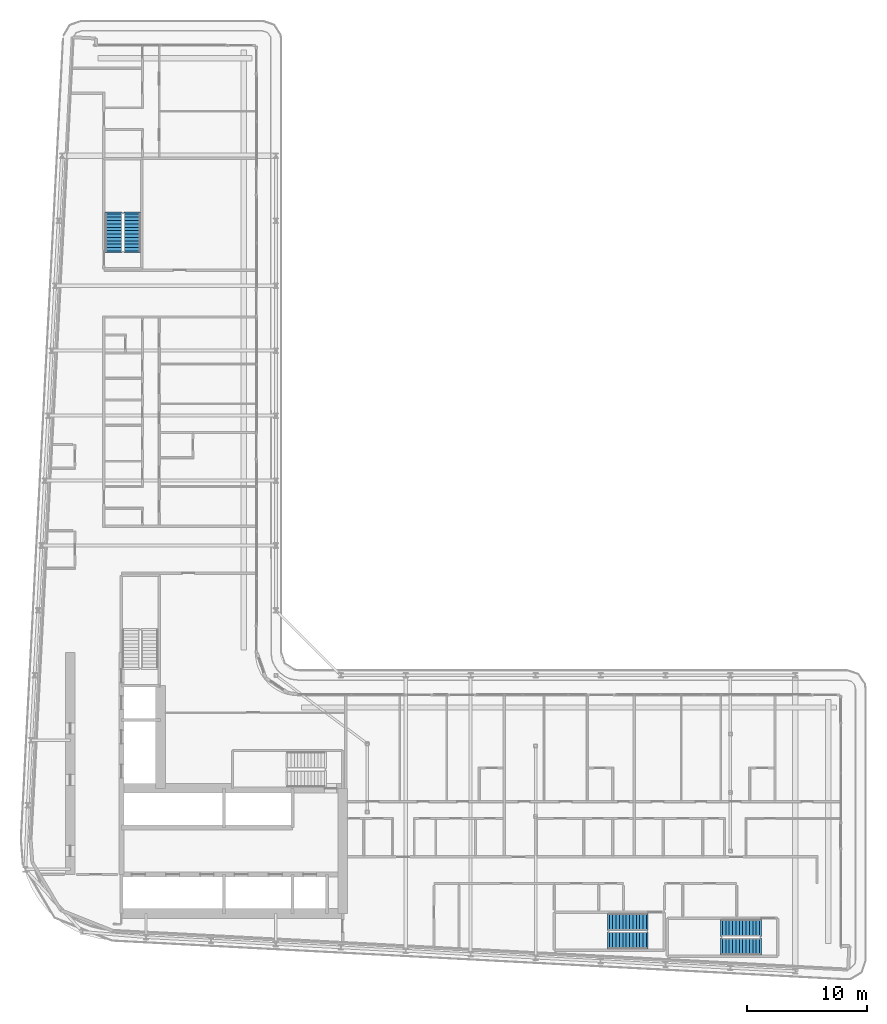
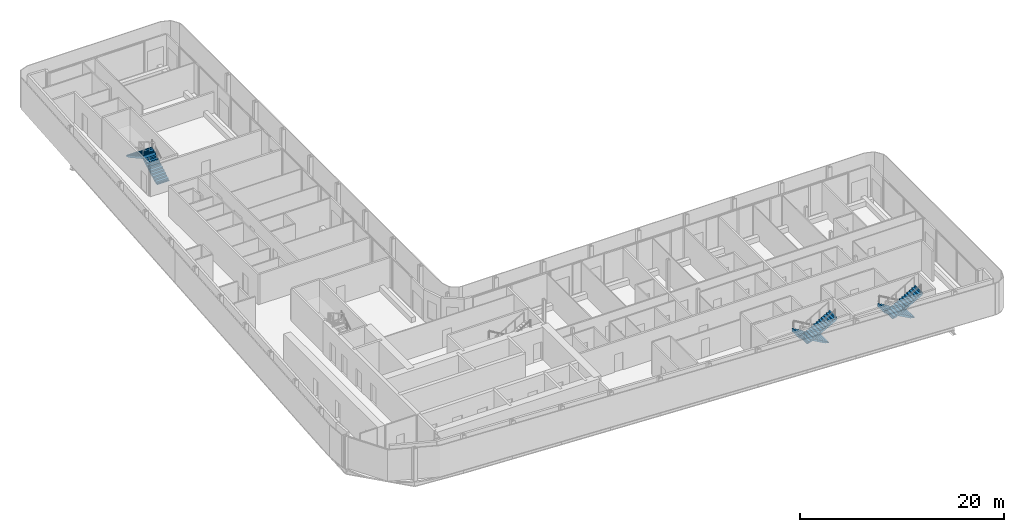
# One storey, part 23 of 30: 6 stair flights, 3 elements without a shape of their own.
"""IFC4 building model written with IfcOpenShell, lengths in metres."""

from ifc_helpers import new_model, si_unit, direction, frame, origin, place, context, subcontext, project, spatial, polyline, outline, extrude, material, layer, layer_set, type_object, element, aggregate, save


model = new_model("IFC4")

# Units and contexts
model_context = context("Model", 3, precision=1e-05, world=origin(), true_north=direction((0.0, 1.0)))
body_context = subcontext(model_context, "Body", "Model", "MODEL_VIEW")
ifc_project = project(units=[si_unit("LENGTHUNIT", "METRE"), si_unit("AREAUNIT", "SQUARE_METRE"), si_unit("VOLUMEUNIT", "CUBIC_METRE"), si_unit("PLANEANGLEUNIT", "RADIAN"), si_unit("MASSUNIT", "GRAM", prefix="KILO")], contexts=[model_context])

# Site, building, storey
site_placement = place(None, origin())
site = spatial("IfcSite", under=ifc_project, at=site_placement, CompositionType="ELEMENT")
building_placement = place(site_placement, origin())
building = spatial("IfcBuilding", under=site, at=building_placement, Name="Kheshtan School and Residences Tower", CompositionType="ELEMENT")
storey_placement = place(building_placement, frame((0.0, 0.0, 164.300048828125)))
storey = spatial("IfcBuildingStorey", under=building, at=storey_placement, Name="L38", CompositionType="ELEMENT", Elevation=164.300048828125)

# Stair, stair flights
ifc_material = material(Name="Concrete C40/50", Category="concrete")
stair_type = type_object("IfcStairType", Name="Exit stair, half-turn", PredefinedType="HALF_TURN_STAIR", material=ifc_material)
stair_1_placement = place(storey_placement, origin())
stair_1 = element("IfcStair", 1, at=stair_1_placement, inside=storey, type_object=stair_type, Name="L38 Protected Exit Stair ST3", PredefinedType="HALF_TURN_STAIR")
ifc_layer = layer(ifc_material, 0.14990234375)
ifc_layer_set = layer_set([ifc_layer], Name="Stair flight 1400 Concrete C40/50")
stair_flight_type = type_object("IfcStairFlightType", Name="Stair flight 1400 Concrete C40/50", PredefinedType="STRAIGHT", material=ifc_layer_set)
stair_flight_1_placement = place(storey_placement, frame((35.64990234375, 80.89990234375, 0.0), z_axis=(0.0, 0.0, 1.0), x_axis=(0.0, 1.0, 0.0)))
stair_flight_1 = element("IfcStairFlight", 2, at=stair_flight_1_placement, type_object=stair_flight_type, Name="ST3 flight 1", NumberOfRisers=12, NumberOfTreads=11, PredefinedType="STRAIGHT", RiserHeight=0.1625, TreadLength=0.28, context=body_context, shape_type="SweptSolid", body=[
    extrude(outline(polyline([(-0.14990234375, -0.10009765625), (-0.14990234375, 0.0), (0.0, 0.0), (0.0, 0.16259765625), (0.280029296875, 0.16259765625), (0.280029296875, 0.324951171875), (0.56005859375, 0.324951171875), (0.56005859375, 0.487548828125), (0.840087890625, 0.487548828125), (0.840087890625, 0.64990234375), (1.1201171875, 0.64990234375), (1.1201171875, 0.8125), (1.39990234375, 0.8125), (1.39990234375, 0.97509765625), (1.679931640625, 0.97509765625), (1.679931640625, 1.137451171875), (1.9599609375, 1.137451171875), (1.9599609375, 1.300048828125), (2.239990234375, 1.300048828125), (2.239990234375, 1.46240234375), (2.52001953125, 1.46240234375), (2.52001953125, 1.625), (2.800048828125, 1.625), (2.800048828125, 1.78759765625), (3.080078125, 1.78759765625), (3.080078125, 1.949951171875), (3.080078125, 1.969970703125), (3.22998046875, 1.969970703125), (3.22998046875, 1.6142578125), (0.298583984375, 0.0), (-0.14990234375, -0.10009765625)])), frame((0.0, 0.699951171875, 0.0), z_axis=(0.0, -1.0, 0.0), x_axis=(1.0, 0.0, 0.0)), (0.0, 0.0, 1.0), 1.39990234375),
])
stair_flight_2_placement = place(storey_placement, frame((34.10009765625, 83.97998046875, 1.949951171875), z_axis=(0.0, 0.0, 1.0), x_axis=(0.0, -1.0, 0.0)))
stair_flight_2 = element("IfcStairFlight", 3, at=stair_flight_2_placement, type_object=stair_flight_type, Name="ST3 flight 2", NumberOfRisers=12, NumberOfTreads=11, PredefinedType="STRAIGHT", RiserHeight=0.1625, TreadLength=0.28, context=body_context, shape_type="SweptSolid", body=[
    extrude(outline(polyline([(-0.14990234375, -0.10009765625), (-0.14990234375, 0.0), (0.0, 0.0), (0.0, 0.16259765625), (0.280029296875, 0.16259765625), (0.280029296875, 0.324951171875), (0.56005859375, 0.324951171875), (0.56005859375, 0.487548828125), (0.840087890625, 0.487548828125), (0.840087890625, 0.64990234375), (1.1201171875, 0.64990234375), (1.1201171875, 0.8125), (1.39990234375, 0.8125), (1.39990234375, 0.97509765625), (1.679931640625, 0.97509765625), (1.679931640625, 1.137451171875), (1.9599609375, 1.137451171875), (1.9599609375, 1.300048828125), (2.239990234375, 1.300048828125), (2.239990234375, 1.46240234375), (2.52001953125, 1.46240234375), (2.52001953125, 1.625), (2.800048828125, 1.625), (2.800048828125, 1.78759765625), (3.080078125, 1.78759765625), (3.080078125, 1.949951171875), (3.080078125, 1.969970703125), (3.22998046875, 1.969970703125), (3.22998046875, 1.6142578125), (0.298583984375, 0.0), (-0.14990234375, -0.10009765625)])), frame((0.0, 0.699951171875, 0.0), z_axis=(0.0, -1.0, 0.0), x_axis=(1.0, 0.0, 0.0)), (0.0, 0.0, 1.0), 1.39990234375),
])
aggregate(stair_1, [stair_flight_1, stair_flight_2])

stair_2_placement = place(storey_placement, origin())
stair_2 = element("IfcStair", 4, at=stair_2_placement, inside=storey, type_object=stair_type, Name="L38 Protected Exit Stair ST4", PredefinedType="HALF_TURN_STAIR")
stair_flight_3_placement = place(storey_placement, frame((87.820068359375, 24.60009765625, 0.0), z_axis=(0.0, 0.0, 1.0), x_axis=(-1.0, 0.0, 0.0)))
stair_flight_3 = element("IfcStairFlight", 5, at=stair_flight_3_placement, type_object=stair_flight_type, Name="ST4 flight 1", NumberOfRisers=12, NumberOfTreads=11, PredefinedType="STRAIGHT", RiserHeight=0.1625, TreadLength=0.28, context=body_context, shape_type="SweptSolid", body=[
    extrude(outline(polyline([(-0.14990234375, -0.10009765625), (-0.14990234375, 0.0), (0.0, 0.0), (0.0, 0.16259765625), (0.280029296875, 0.16259765625), (0.280029296875, 0.324951171875), (0.56005859375, 0.324951171875), (0.56005859375, 0.487548828125), (0.840087890625, 0.487548828125), (0.840087890625, 0.64990234375), (1.1201171875, 0.64990234375), (1.1201171875, 0.8125), (1.39990234375, 0.8125), (1.39990234375, 0.97509765625), (1.679931640625, 0.97509765625), (1.679931640625, 1.137451171875), (1.9599609375, 1.137451171875), (1.9599609375, 1.300048828125), (2.239990234375, 1.300048828125), (2.239990234375, 1.46240234375), (2.52001953125, 1.46240234375), (2.52001953125, 1.625), (2.800048828125, 1.625), (2.800048828125, 1.78759765625), (3.080078125, 1.78759765625), (3.080078125, 1.949951171875), (3.080078125, 1.969970703125), (3.22998046875, 1.969970703125), (3.22998046875, 1.6142578125), (0.298583984375, 0.0), (-0.14990234375, -0.10009765625)])), frame((0.0, 0.699951171875, 0.0), z_axis=(0.0, -1.0, 0.0), x_axis=(1.0, 0.0, 0.0)), (0.0, 0.0, 1.0), 1.39990234375),
])
stair_flight_4_placement = place(storey_placement, frame((84.739990234375, 23.050048828125, 1.949951171875), z_axis=(0.0, 0.0, 1.0), x_axis=(1.0, 0.0, 0.0)))
stair_flight_4 = element("IfcStairFlight", 6, at=stair_flight_4_placement, type_object=stair_flight_type, Name="ST4 flight 2", NumberOfRisers=12, NumberOfTreads=11, PredefinedType="STRAIGHT", RiserHeight=0.1625, TreadLength=0.28, context=body_context, shape_type="SweptSolid", body=[
    extrude(outline(polyline([(-0.14990234375, -0.10009765625), (-0.14990234375, 0.0), (0.0, 0.0), (0.0, 0.16259765625), (0.280029296875, 0.16259765625), (0.280029296875, 0.324951171875), (0.56005859375, 0.324951171875), (0.56005859375, 0.487548828125), (0.840087890625, 0.487548828125), (0.840087890625, 0.64990234375), (1.1201171875, 0.64990234375), (1.1201171875, 0.8125), (1.39990234375, 0.8125), (1.39990234375, 0.97509765625), (1.679931640625, 0.97509765625), (1.679931640625, 1.137451171875), (1.9599609375, 1.137451171875), (1.9599609375, 1.300048828125), (2.239990234375, 1.300048828125), (2.239990234375, 1.46240234375), (2.52001953125, 1.46240234375), (2.52001953125, 1.625), (2.800048828125, 1.625), (2.800048828125, 1.78759765625), (3.080078125, 1.78759765625), (3.080078125, 1.949951171875), (3.080078125, 1.969970703125), (3.22998046875, 1.969970703125), (3.22998046875, 1.6142578125), (0.298583984375, 0.0), (-0.14990234375, -0.10009765625)])), frame((0.0, 0.699951171875, 0.0), z_axis=(0.0, -1.0, 0.0), x_axis=(1.0, 0.0, 0.0)), (0.0, 0.0, 1.0), 1.39990234375),
])
aggregate(stair_2, [stair_flight_3, stair_flight_4])

stair_3_placement = place(storey_placement, origin())
stair_3 = element("IfcStair", 7, at=stair_3_placement, inside=storey, type_object=stair_type, Name="L38 Protected Exit Stair ST5", PredefinedType="HALF_TURN_STAIR")
stair_flight_5_placement = place(storey_placement, frame((78.409912109375, 25.10009765625, 0.0), z_axis=(0.0, 0.0, 1.0), x_axis=(-1.0, 0.0, 0.0)))
stair_flight_5 = element("IfcStairFlight", 8, at=stair_flight_5_placement, type_object=stair_flight_type, Name="ST5 flight 1", NumberOfRisers=12, NumberOfTreads=11, PredefinedType="STRAIGHT", RiserHeight=0.1625, TreadLength=0.28, context=body_context, shape_type="SweptSolid", body=[
    extrude(outline(polyline([(-0.14990234375, -0.10009765625), (-0.14990234375, 0.0), (0.0, 0.0), (0.0, 0.16259765625), (0.280029296875, 0.16259765625), (0.280029296875, 0.324951171875), (0.56005859375, 0.324951171875), (0.56005859375, 0.487548828125), (0.840087890625, 0.487548828125), (0.840087890625, 0.64990234375), (1.1201171875, 0.64990234375), (1.1201171875, 0.8125), (1.39990234375, 0.8125), (1.39990234375, 0.97509765625), (1.679931640625, 0.97509765625), (1.679931640625, 1.137451171875), (1.9599609375, 1.137451171875), (1.9599609375, 1.300048828125), (2.239990234375, 1.300048828125), (2.239990234375, 1.46240234375), (2.52001953125, 1.46240234375), (2.52001953125, 1.625), (2.800048828125, 1.625), (2.800048828125, 1.78759765625), (3.080078125, 1.78759765625), (3.080078125, 1.949951171875), (3.080078125, 1.969970703125), (3.22998046875, 1.969970703125), (3.22998046875, 1.6142578125), (0.298583984375, 0.0), (-0.14990234375, -0.10009765625)])), frame((0.0, 0.699951171875, 0.0), z_axis=(0.0, -1.0, 0.0), x_axis=(1.0, 0.0, 0.0)), (0.0, 0.0, 1.0), 1.39990234375),
])
stair_flight_6_placement = place(storey_placement, frame((75.330078125, 23.550048828125, 1.949951171875), z_axis=(0.0, 0.0, 1.0), x_axis=(1.0, 0.0, 0.0)))
stair_flight_6 = element("IfcStairFlight", 9, at=stair_flight_6_placement, type_object=stair_flight_type, Name="ST5 flight 2", NumberOfRisers=12, NumberOfTreads=11, PredefinedType="STRAIGHT", RiserHeight=0.1625, TreadLength=0.28, context=body_context, shape_type="SweptSolid", body=[
    extrude(outline(polyline([(-0.14990234375, -0.10009765625), (-0.14990234375, 0.0), (0.0, 0.0), (0.0, 0.16259765625), (0.280029296875, 0.16259765625), (0.280029296875, 0.324951171875), (0.56005859375, 0.324951171875), (0.56005859375, 0.487548828125), (0.840087890625, 0.487548828125), (0.840087890625, 0.64990234375), (1.1201171875, 0.64990234375), (1.1201171875, 0.8125), (1.39990234375, 0.8125), (1.39990234375, 0.97509765625), (1.679931640625, 0.97509765625), (1.679931640625, 1.137451171875), (1.9599609375, 1.137451171875), (1.9599609375, 1.300048828125), (2.239990234375, 1.300048828125), (2.239990234375, 1.46240234375), (2.52001953125, 1.46240234375), (2.52001953125, 1.625), (2.800048828125, 1.625), (2.800048828125, 1.78759765625), (3.080078125, 1.78759765625), (3.080078125, 1.949951171875), (3.080078125, 1.969970703125), (3.22998046875, 1.969970703125), (3.22998046875, 1.6142578125), (0.298583984375, 0.0), (-0.14990234375, -0.10009765625)])), frame((0.0, 0.699951171875, 0.0), z_axis=(0.0, -1.0, 0.0), x_axis=(1.0, 0.0, 0.0)), (0.0, 0.0, 1.0), 1.39990234375),
])
aggregate(stair_3, [stair_flight_5, stair_flight_6])

save(model, "model.ifc")
